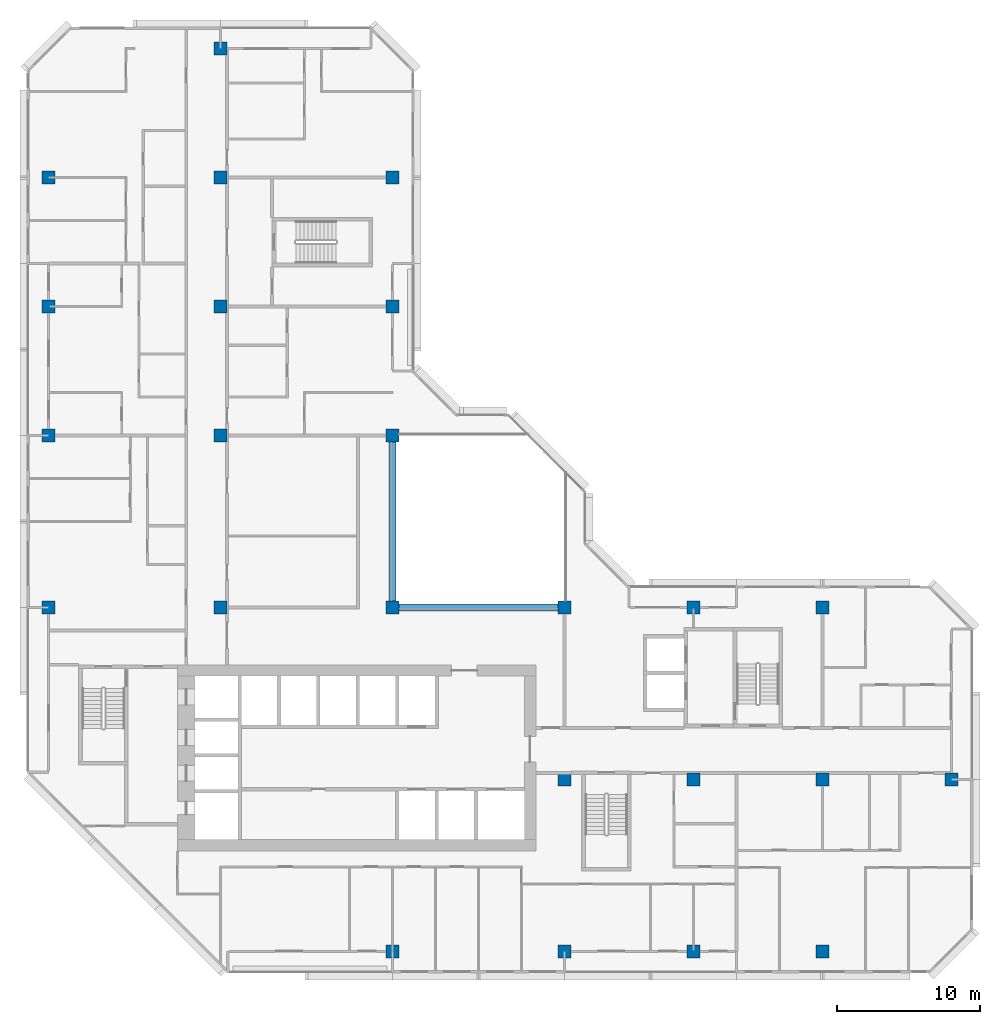
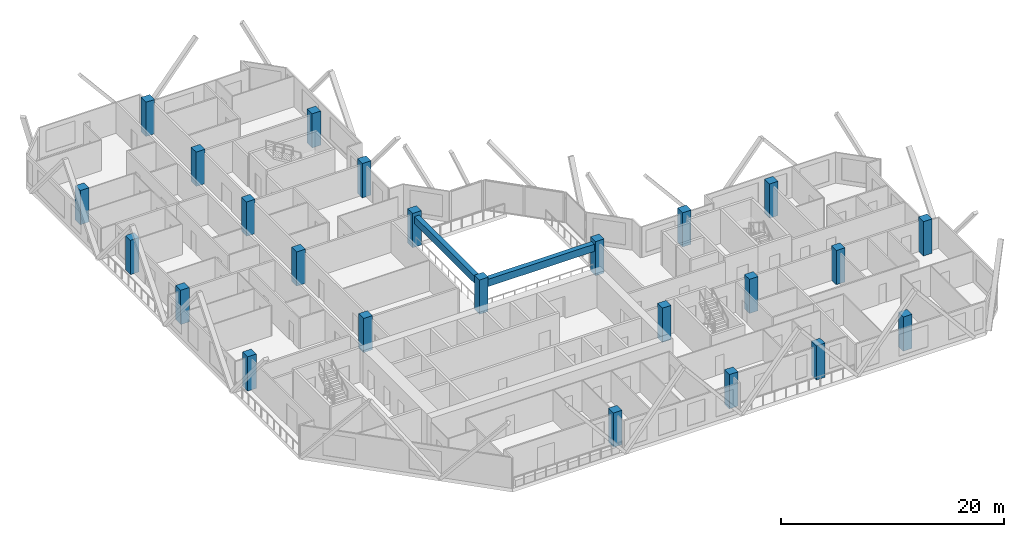
# One storey, part 1 of 14: 24 columns, 2 beams.
"""IFC4 building model written with IfcOpenShell, lengths in metres."""

from ifc_helpers import new_model, si_unit, direction, frame, origin, origin_2d, place, context, subcontext, project, spatial, rectangle, extrude, material, material_profile, profile_set, type_object, element, save


model = new_model("IFC4")

# Units and contexts
model_context = context("Model", 3, precision=1e-05, world=origin(), true_north=direction((0.0, 1.0)))
body_context = subcontext(model_context, "Body", "Model", "MODEL_VIEW")
ifc_project = project(units=[si_unit("LENGTHUNIT", "METRE"), si_unit("AREAUNIT", "SQUARE_METRE"), si_unit("VOLUMEUNIT", "CUBIC_METRE"), si_unit("PLANEANGLEUNIT", "RADIAN"), si_unit("MASSUNIT", "GRAM", prefix="KILO")], contexts=[model_context])

# Site, building, storey
site_placement = place(None, origin())
site = spatial("IfcSite", under=ifc_project, at=site_placement, CompositionType="ELEMENT")
building_placement = place(site_placement, origin())
building = spatial("IfcBuilding", under=site, at=building_placement, Name="Chenar Terraces", CompositionType="ELEMENT")
storey_placement = place(building_placement, frame((0.0, 0.0, 179.89990234375)))
storey = spatial("IfcBuildingStorey", under=building, at=storey_placement, Name="L41", CompositionType="ELEMENT", Elevation=179.89990234375)

# Columns
ifc_material_1 = material(Name="Concrete C60/75", Category="concrete")
ifc_material_profile_1 = material_profile(ifc_material_1, rectangle(XDim=0.89990234375, YDim=0.89990234375, at=origin_2d()), Name="C 900 x 900")
ifc_profile_set_1 = profile_set([ifc_material_profile_1], Name="Concrete C60/75")
column_type = type_object("IfcColumnType", Name="Column C 900 x 900 Concrete C60/75", PredefinedType="COLUMN", material=ifc_profile_set_1)
column_1_placement = place(storey_placement, frame((0.0, 24.0, 0.0), z_axis=(0.0, 0.0, 1.0), x_axis=(1.0, 0.0, 0.0)))
element("IfcColumn", 1, at=column_1_placement, inside=storey, type_object=column_type, Name="Column 5/G L41", PredefinedType="COLUMN", context=body_context, shape_type="SweptSolid", body=[
    extrude(rectangle(XDim=0.89990234375, YDim=0.89990234375, at=origin_2d()), origin(), (0.0, 0.0, 1.0), 3.75),
])
column_2_placement = place(storey_placement, frame((0.0, 36.0, 0.0), z_axis=(0.0, 0.0, 1.0), x_axis=(1.0, 0.0, 0.0)))
element("IfcColumn", 2, at=column_2_placement, inside=storey, type_object=column_type, Name="Column 5/H L41", PredefinedType="COLUMN", context=body_context, shape_type="SweptSolid", body=[
    extrude(rectangle(XDim=0.89990234375, YDim=0.89990234375, at=origin_2d()), origin(), (0.0, 0.0, 1.0), 3.75),
])
column_3_placement = place(storey_placement, frame((0.0, 45.0, 0.0), z_axis=(0.0, 0.0, 1.0), x_axis=(1.0, 0.0, 0.0)))
element("IfcColumn", 3, at=column_3_placement, inside=storey, type_object=column_type, Name="Column 5/J L41", PredefinedType="COLUMN", context=body_context, shape_type="SweptSolid", body=[
    extrude(rectangle(XDim=0.89990234375, YDim=0.89990234375, at=origin_2d()), origin(), (0.0, 0.0, 1.0), 3.75),
])
column_4_placement = place(storey_placement, frame((0.0, 54.0, 0.0), z_axis=(0.0, 0.0, 1.0), x_axis=(1.0, 0.0, 0.0)))
element("IfcColumn", 4, at=column_4_placement, inside=storey, type_object=column_type, Name="Column 5/K L41", PredefinedType="COLUMN", context=body_context, shape_type="SweptSolid", body=[
    extrude(rectangle(XDim=0.89990234375, YDim=0.89990234375, at=origin_2d()), origin(), (0.0, 0.0, 1.0), 3.75),
])
for number, where, z_axis, x_axis, name in (
    (5, (12.0, 24.0, 0.0), (0.0, 0.0, 1.0), (1.0, 0.0, 0.0), "Column 6/G L41"),
    (6, (12.0, 36.0, 0.0), (0.0, 0.0, 1.0), (1.0, 0.0, 0.0), "Column 6/H L41"),
    (7, (12.0, 45.0, 0.0), (0.0, 0.0, 1.0), (1.0, 0.0, 0.0), "Column 6/J L41"),
    (8, (12.0, 54.0, 0.0), (0.0, 0.0, 1.0), (1.0, 0.0, 0.0), "Column 6/K L41"),
    (9, (12.0, 63.0, 0.0), (0.0, 0.0, 1.0), (1.0, 0.0, 0.0), "Column 6/L L41"),
    (10, (24.0, 0.0, 0.0), (0.0, 0.0, 1.0), (1.0, 0.0, 0.0), "Column 7/E L41"),
    (11, (24.0, 24.0, 0.0), (0.0, 0.0, 1.0), (1.0, 0.0, 0.0), "Column 7/G L41"),
    (12, (24.0, 36.0, 0.0), (0.0, 0.0, 1.0), (1.0, 0.0, 0.0), "Column 7/H L41"),
    (13, (24.0, 45.0, 0.0), (0.0, 0.0, 1.0), (1.0, 0.0, 0.0), "Column 7/J L41"),
    (14, (24.0, 54.0, 0.0), (0.0, 0.0, 1.0), (1.0, 0.0, 0.0), "Column 7/K L41"),
    (15, (36.0, 0.0, 0.0), (0.0, 0.0, 1.0), (1.0, 0.0, 0.0), "Column 8/E L41"),
    (16, (36.0, 12.0, 0.0), (0.0, 0.0, 1.0), (1.0, 0.0, 0.0), "Column 8/F L41"),
    (17, (36.0, 24.0, 0.0), (0.0, 0.0, 1.0), (1.0, 0.0, 0.0), "Column 8/G L41"),
    (18, (45.0, 0.0, 0.0), (0.0, 0.0, 1.0), (1.0, 0.0, 0.0), "Column 9/E L41"),
    (19, (45.0, 12.0, 0.0), (0.0, 0.0, 1.0), (1.0, 0.0, 0.0), "Column 9/F L41"),
    (20, (45.0, 24.0, 0.0), (0.0, 0.0, 1.0), (1.0, 0.0, 0.0), "Column 9/G L41"),
    (21, (54.0, 0.0, 0.0), (0.0, 0.0, 1.0), (1.0, 0.0, 0.0), "Column 10/E L41"),
    (22, (54.0, 12.0, 0.0), (0.0, 0.0, 1.0), (1.0, 0.0, 0.0), "Column 10/F L41"),
    (23, (54.0, 24.0, 0.0), (0.0, 0.0, 1.0), (1.0, 0.0, 0.0), "Column 10/G L41"),
    (24, (63.0, 12.0, 0.0), (0.0, 0.0, 1.0), (1.0, 0.0, 0.0), "Column 11/F L41"),
):
    element("IfcColumn", number, at=place(storey_placement, frame(where, z_axis=z_axis, x_axis=x_axis)), inside=storey, type_object=column_type, Name=name, PredefinedType="COLUMN", context=body_context, shape_type="SweptSolid", body=[
        extrude(rectangle(XDim=0.89990234375, YDim=0.89990234375, at=origin_2d()), origin(), (0.0, 0.0, 1.0), 3.75),
    ])

# Beams
ifc_material_2 = material(Name="Concrete C40/50", Category="concrete")
ifc_material_profile_2 = material_profile(ifc_material_2, rectangle(XDim=0.5, YDim=0.800048828125, at=origin_2d()), Name="RC 500 x 800")
ifc_profile_set_2 = profile_set([ifc_material_profile_2], Name="Concrete C40/50")
beam_type = type_object("IfcBeamType", Name="Atrium edge beam 500 x 800 Concrete C40/50", PredefinedType="BEAM", material=ifc_profile_set_2)
for number, where, z_axis, x_axis, name in (
    (25, (24.449951171875, 24.0, 2.9501953125), (1.0, 0.0, 0.0), (0.0, 1.0, 0.0), "Atrium edge beam L42 1"),
    (26, (24.0, 35.550048828125, 2.9501953125), (0.0, -1.0, 0.0), (1.0, 0.0, 0.0), "Atrium edge beam L42 4"),
):
    element("IfcBeam", number, at=place(storey_placement, frame(where, z_axis=z_axis, x_axis=x_axis)), inside=storey, type_object=beam_type, Name=name, PredefinedType="BEAM", context=body_context, shape_type="SweptSolid", body=[
        extrude(rectangle(XDim=0.5, YDim=0.800048828125, at=origin_2d()), origin(), (0.0, 0.0, 1.0), 11.10009765625),
    ])

save(model, "model.ifc")
